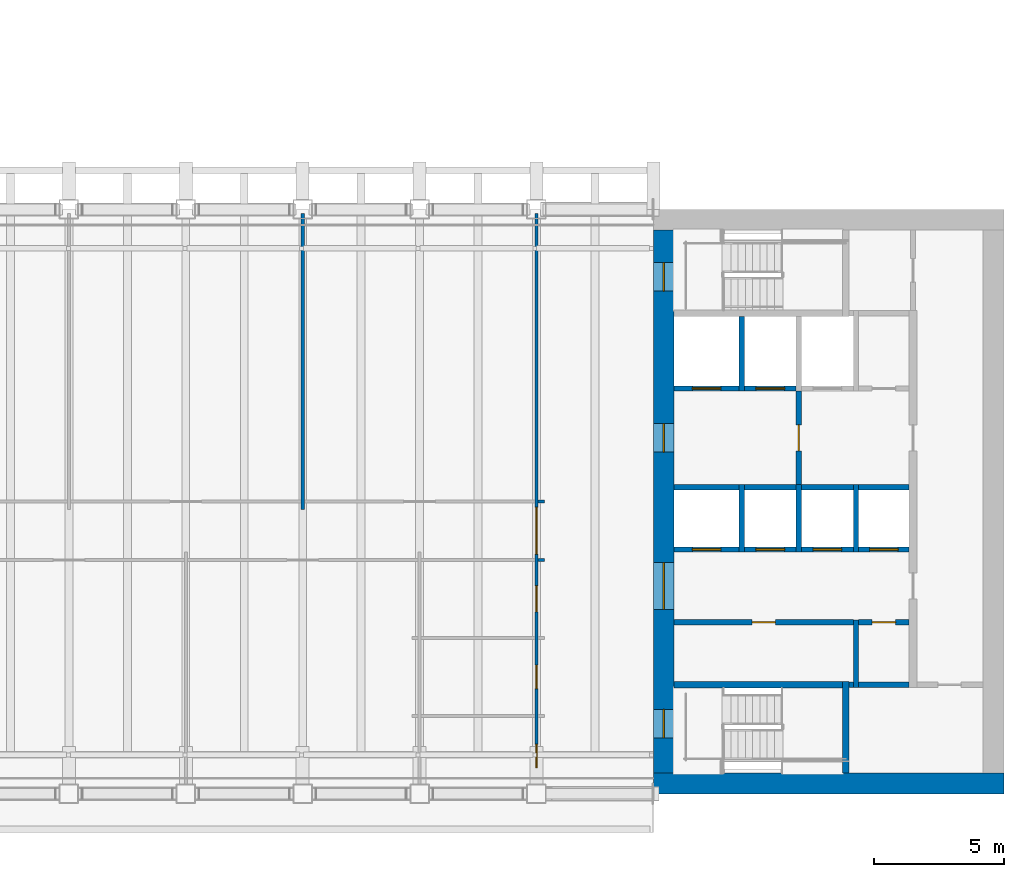
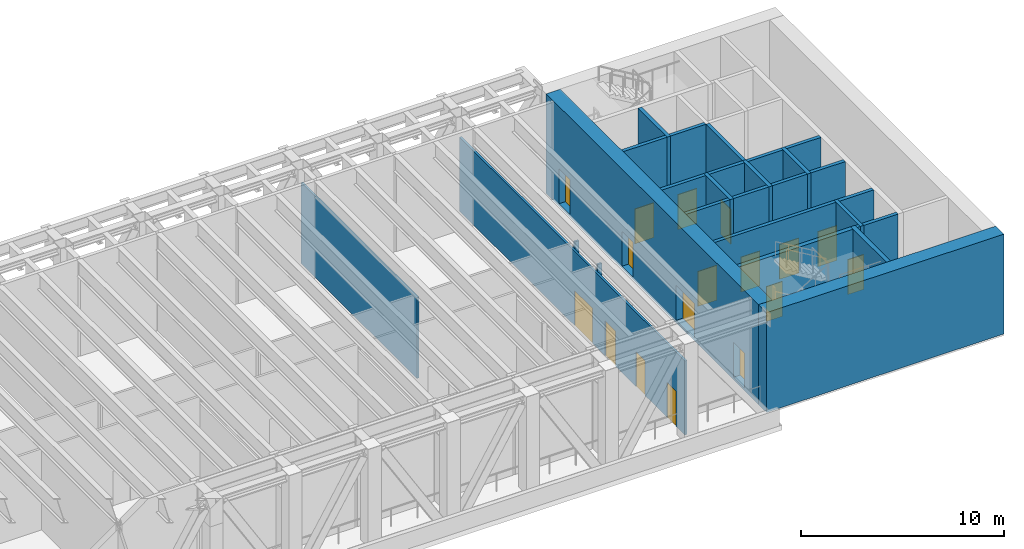
# One storey, part 10 of 20: 28 walls, 17 doors, 17 openings.
"""IFC4 building model written with IfcOpenShell, lengths in metres."""

from ifc_helpers import new_model, si_unit, direction, frame, frame_2d, origin, place, context, subcontext, project, spatial, rectangle, extrude, material, layer, layer_set, type_object, element, fill, save


model = new_model("IFC4")

# Units and contexts
model_context = context("Model", 3, precision=1e-05, world=origin(), true_north=direction((0.0, 1.0)))
body_context = subcontext(model_context, "Body", "Model", "MODEL_VIEW")
ifc_project = project(units=[si_unit("LENGTHUNIT", "METRE"), si_unit("AREAUNIT", "SQUARE_METRE"), si_unit("VOLUMEUNIT", "CUBIC_METRE"), si_unit("PLANEANGLEUNIT", "RADIAN"), si_unit("MASSUNIT", "GRAM", prefix="KILO")], contexts=[model_context])

# Site, building, storey
site_placement = place(None, origin())
site = spatial("IfcSite", under=ifc_project, at=site_placement, CompositionType="ELEMENT")
building_placement = place(site_placement, origin())
building = spatial("IfcBuilding", under=site, at=building_placement, Name="Sennacour Bend Tower", CompositionType="ELEMENT")
storey_placement = place(building_placement, frame((0.0, 0.0, 243.0)))
storey = spatial("IfcBuildingStorey", under=building, at=storey_placement, Name="L56", CompositionType="ELEMENT", Elevation=243.0)

# Wall
ifc_material_1 = material(Name="Concrete C50/60", Category="concrete")
ifc_layer_1 = layer(ifc_material_1, 0.800048828125, Name="Concrete C50/60", Category="concrete")
ifc_layer_set_1 = layer_set([ifc_layer_1], Name="Concrete C50/60")
wall_type_1 = type_object("IfcWallType", Name="Core wall 800 C50/60", PredefinedType="SHEAR", material=ifc_layer_set_1)
wall_1_placement = place(storey_placement, frame((67.5, 0.39990234375, -0.14990234375), z_axis=(0.0, 0.0, 1.0), x_axis=(-1.0, 0.0, 0.0)))
element("IfcWall", 1, at=wall_1_placement, inside=storey, type_object=wall_type_1, Name="Core A wall L56 S", PredefinedType="SHEAR", context=body_context, shape_type="SweptSolid", body=[
    extrude(rectangle(XDim=13.5, YDim=0.800048828125, at=frame_2d((6.75, 0.0))), origin(), (0.0, 0.0, 1.0), 6.0),
])

# Wall, openings, doors
wall_2_placement = place(storey_placement, frame((54.39990234375, 0.800048828125, -0.14990234375), z_axis=(0.0, 0.0, 1.0), x_axis=(0.0, 1.0, 0.0)))
wall_2 = element("IfcWall", 2, at=wall_2_placement, inside=storey, type_object=wall_type_1, Name="Core A wall L56 W", PredefinedType="SHEAR", context=body_context, shape_type="SweptSolid", body=[
    extrude(rectangle(XDim=20.89990234375, YDim=0.800048828125, at=frame_2d((10.449951171875, 0.0))), origin(), (0.0, 0.0, 1.0), 6.0),
])
opening_1_placement = place(wall_2_placement, frame((6.300048828125, 0.0, 0.14990234375)))
opening_1 = element("IfcOpeningElement", 3, at=opening_1_placement, cuts=wall_2, Name="Opening CD", PredefinedType="OPENING", context=body_context, shape_type="SweptSolid", body=[
    extrude(rectangle(XDim=1.800048828125, YDim=2.10009765625, at=frame_2d((0.89990234375, 1.050048828125))), frame((0.0, 0.41015625, 0.0), z_axis=(0.0, -1.0, 0.0), x_axis=(1.0, 0.0, 0.0)), (0.0, 0.0, 1.0), 0.820068359375),
])
opening_2_placement = place(wall_2_placement, frame((12.35009765625, 0.0, 0.14990234375)))
opening_2 = element("IfcOpeningElement", 4, at=opening_2_placement, cuts=wall_2, Name="Opening FD", PredefinedType="OPENING", context=body_context, shape_type="SweptSolid", body=[
    extrude(rectangle(XDim=1.10009765625, YDim=2.10009765625, at=frame_2d((0.550048828125, 1.050048828125))), frame((0.0, 0.41015625, 0.0), z_axis=(0.0, -1.0, 0.0), x_axis=(1.0, 0.0, 0.0)), (0.0, 0.0, 1.0), 0.820068359375),
])
opening_3_placement = place(wall_2_placement, frame((1.35009765625, 0.0, 0.14990234375)))
opening_3 = element("IfcOpeningElement", 5, at=opening_3_placement, cuts=wall_2, Name="Opening SD", PredefinedType="OPENING", context=body_context, shape_type="SweptSolid", body=[
    extrude(rectangle(XDim=1.10009765625, YDim=2.10009765625, at=frame_2d((0.550048828125, 1.050048828125))), frame((0.0, 0.41015625, 0.0), z_axis=(0.0, -1.0, 0.0), x_axis=(1.0, 0.0, 0.0)), (0.0, 0.0, 1.0), 0.820068359375),
])
opening_4_placement = place(wall_2_placement, frame((18.550048828125, 0.0, 0.14990234375)))
opening_4 = element("IfcOpeningElement", 6, at=opening_4_placement, cuts=wall_2, Name="Opening SD", PredefinedType="OPENING", context=body_context, shape_type="SweptSolid", body=[
    extrude(rectangle(XDim=1.10009765625, YDim=2.10009765625, at=frame_2d((0.550048828125, 1.050048828125))), frame((0.0, 0.41015625, 0.0), z_axis=(0.0, -1.0, 0.0), x_axis=(1.0, 0.0, 0.0)), (0.0, 0.0, 1.0), 0.820068359375),
])
ifc_material_2 = material(Name="Painted steel", Category="steel")
door_type_1 = type_object("IfcDoorType", Name="DR-FFL-1100", OperationType="NOTDEFINED", PredefinedType="DOOR", material=ifc_material_2)
door_1_placement = place(opening_2_placement, origin())
door_1 = element("IfcDoor", 7, at=door_1_placement, inside=storey, type_object=door_type_1, Name="Door", OperationType="SINGLE_SWING_RIGHT", OverallHeight=2.10009765625, OverallWidth=1.10009765625, PredefinedType="DOOR", context=body_context, shape_type="SweptSolid", body=[
    extrude(rectangle(XDim=1.10009765625, YDim=2.10009765625, at=frame_2d((0.550048828125, 1.050048828125))), frame((0.0, 0.02490234375, 0.0), z_axis=(0.0, -1.0, 0.0), x_axis=(1.0, 0.0, 0.0)), (0.0, 0.0, 1.0), 0.050048828125),
])
fill(opening_2, door_1)
door_type_2 = type_object("IfcDoorType", Name="DR-LOBBY-1800", OperationType="NOTDEFINED", PredefinedType="DOOR", material=ifc_material_2)
door_2_placement = place(opening_1_placement, origin())
door_2 = element("IfcDoor", 8, at=door_2_placement, inside=storey, type_object=door_type_2, Name="Door", OperationType="DOUBLE_DOOR_SINGLE_SWING", OverallHeight=2.10009765625, OverallWidth=1.800048828125, PredefinedType="DOOR", context=body_context, shape_type="SweptSolid", body=[
    extrude(rectangle(XDim=1.800048828125, YDim=2.10009765625, at=frame_2d((0.89990234375, 1.050048828125))), frame((0.0, 0.02490234375, 0.0), z_axis=(0.0, -1.0, 0.0), x_axis=(1.0, 0.0, 0.0)), (0.0, 0.0, 1.0), 0.050048828125),
])
fill(opening_1, door_2)
door_type_3 = type_object("IfcDoorType", Name="DR-STAIR-1100", OperationType="NOTDEFINED", PredefinedType="DOOR", material=ifc_material_2)
door_3_placement = place(opening_3_placement, origin())
door_3 = element("IfcDoor", 9, at=door_3_placement, inside=storey, type_object=door_type_3, Name="Door", OperationType="SINGLE_SWING_LEFT", OverallHeight=2.10009765625, OverallWidth=1.10009765625, PredefinedType="DOOR", context=body_context, shape_type="SweptSolid", body=[
    extrude(rectangle(XDim=1.10009765625, YDim=2.10009765625, at=frame_2d((0.550048828125, 1.050048828125))), frame((0.0, 0.02490234375, 0.0), z_axis=(0.0, -1.0, 0.0), x_axis=(1.0, 0.0, 0.0)), (0.0, 0.0, 1.0), 0.050048828125),
])
fill(opening_3, door_3)
door_4_placement = place(opening_4_placement, origin())
door_4 = element("IfcDoor", 10, at=door_4_placement, inside=storey, type_object=door_type_3, Name="Door", OperationType="SINGLE_SWING_RIGHT", OverallHeight=2.10009765625, OverallWidth=1.10009765625, PredefinedType="DOOR", context=body_context, shape_type="SweptSolid", body=[
    extrude(rectangle(XDim=1.10009765625, YDim=2.10009765625, at=frame_2d((0.550048828125, 1.050048828125))), frame((0.0, 0.02490234375, 0.0), z_axis=(0.0, -1.0, 0.0), x_axis=(1.0, 0.0, 0.0)), (0.0, 0.0, 1.0), 0.050048828125),
])
fill(opening_4, door_4)

# Walls
ifc_material_3 = material(Name="Plasterboard partition on steel studs", Category="steel")
ifc_layer_2 = layer(ifc_material_3, 0.1201171875, Name="Plasterboard partition on steel studs", Category="steel")
ifc_layer_set_2 = layer_set([ifc_layer_2], Name="Plasterboard partition on steel studs")
wall_type_2 = type_object("IfcWallType", Name="Partition 120", PredefinedType="PARTITIONING", material=ifc_layer_set_2)
wall_3_placement = place(storey_placement, frame((40.5, 10.949951171875, 0.0), z_axis=(0.0, 0.0, 1.0), x_axis=(0.0, 1.0, 0.0)))
element("IfcWall", 11, at=wall_3_placement, inside=storey, type_object=wall_type_2, Name="P-L56-W017a", PredefinedType="PARTITIONING", context=body_context, shape_type="SweptSolid", body=[
    extrude(rectangle(XDim=11.400146484375, YDim=0.1201171875, at=frame_2d((5.7001953125, 0.0))), origin(), (0.0, 0.0, 1.0), 4.8701171875),
])
for number, where, z_axis, x_axis, name in (
    (12, (49.56005859375, 9.0, 0.0), (0.0, 0.0, 1.0), (1.0, 0.0, 0.0), "P-L56-W041ag"),
    (13, (49.56005859375, 11.25, 0.0), (0.0, 0.0, 1.0), (1.0, 0.0, 0.0), "P-L56-W043ae"),
):
    element("IfcWall", number, at=place(storey_placement, frame(where, z_axis=z_axis, x_axis=x_axis)), inside=storey, type_object=wall_type_2, Name=name, PredefinedType="PARTITIONING", context=body_context, shape_type="SweptSolid", body=[
        extrude(rectangle(XDim=0.239990234375, YDim=0.1201171875, at=frame_2d((0.1201171875, 0.0))), origin(), (0.0, 0.0, 1.0), 4.8701171875),
    ])

# Wall, openings, doors
ifc_layer_3 = layer(ifc_material_3, 0.1201171875, Name="Plasterboard partition on steel studs", Category="steel")
ifc_layer_set_3 = layer_set([ifc_layer_3], Name="Plasterboard partition on steel studs")
wall_type_3 = type_object("IfcWallType", Name="Partition 120 EI 30", PredefinedType="PARTITIONING", material=ifc_layer_set_3)
wall_4_placement = place(storey_placement, frame((49.5, 0.14990234375, 0.0), z_axis=(0.0, 0.0, 1.0), x_axis=(0.0, 1.0, 0.0)))
wall_4 = element("IfcWall", 14, at=wall_4_placement, inside=storey, type_object=wall_type_3, Name="P-L56-W019a", PredefinedType="PARTITIONING", context=body_context, shape_type="SweptSolid", body=[
    extrude(rectangle(XDim=22.2001953125, YDim=0.1201171875, at=frame_2d((11.10009765625, 0.0))), origin(), (0.0, 0.0, 1.0), 4.449951171875),
])
opening_5_placement = place(wall_4_placement, frame((9.0751953125, 0.0, 0.0)))
opening_5 = element("IfcOpeningElement", 15, at=opening_5_placement, cuts=wall_4, Name="Opening KD3", PredefinedType="OPENING", context=body_context, shape_type="SweptSolid", body=[
    extrude(rectangle(XDim=1.800048828125, YDim=2.10009765625, at=frame_2d((0.89990234375, 1.050048828125))), frame((0.0, 0.070068359375, 0.0), z_axis=(0.0, -1.0, 0.0), x_axis=(1.0, 0.0, 0.0)), (0.0, 0.0, 1.0), 0.14013671875),
])
opening_6_placement = place(wall_4_placement, frame((0.85009765625, 0.0, 0.0)))
opening_6 = element("IfcOpeningElement", 16, at=opening_6_placement, cuts=wall_4, Name="Opening WD", PredefinedType="OPENING", context=body_context, shape_type="SweptSolid", body=[
    extrude(rectangle(XDim=0.89990234375, YDim=2.10009765625, at=frame_2d((0.449951171875, 1.050048828125))), frame((0.0, 0.070068359375, 0.0), z_axis=(0.0, -1.0, 0.0), x_axis=(1.0, 0.0, 0.0)), (0.0, 0.0, 1.0), 0.14013671875),
])
opening_7_placement = place(wall_4_placement, frame((3.900146484375, 0.0, 0.0)))
opening_7 = element("IfcOpeningElement", 17, at=opening_7_placement, cuts=wall_4, Name="Opening WD", PredefinedType="OPENING", context=body_context, shape_type="SweptSolid", body=[
    extrude(rectangle(XDim=0.89990234375, YDim=2.10009765625, at=frame_2d((0.449951171875, 1.050048828125))), frame((0.0, 0.070068359375, 0.0), z_axis=(0.0, -1.0, 0.0), x_axis=(1.0, 0.0, 0.0)), (0.0, 0.0, 1.0), 0.14013671875),
])
opening_8_placement = place(wall_4_placement, frame((6.85009765625, 0.0, 0.0)))
opening_8 = element("IfcOpeningElement", 18, at=opening_8_placement, cuts=wall_4, Name="Opening AD", PredefinedType="OPENING", context=body_context, shape_type="SweptSolid", body=[
    extrude(rectangle(XDim=1.0, YDim=2.10009765625, at=frame_2d((0.5, 1.050048828125))), frame((0.0, 0.070068359375, 0.0), z_axis=(0.0, -1.0, 0.0), x_axis=(1.0, 0.0, 0.0)), (0.0, 0.0, 1.0), 0.14013671875),
])
ifc_material_4 = material(Name="Timber", Category="wood")
door_type_4 = type_object("IfcDoorType", Name="DR-ACC-WC-1000", OperationType="NOTDEFINED", PredefinedType="DOOR", material=ifc_material_4)
door_5_placement = place(opening_8_placement, origin())
door_5 = element("IfcDoor", 19, at=door_5_placement, inside=storey, type_object=door_type_4, Name="Door", OperationType="SINGLE_SWING_LEFT", OverallHeight=2.10009765625, OverallWidth=1.0, PredefinedType="DOOR", context=body_context, shape_type="SweptSolid", body=[
    extrude(rectangle(XDim=1.0, YDim=2.10009765625, at=frame_2d((0.5, 1.050048828125))), frame((0.0, 0.02490234375, 0.0), z_axis=(0.0, -1.0, 0.0), x_axis=(1.0, 0.0, 0.0)), (0.0, 0.0, 1.0), 0.050048828125),
])
fill(opening_8, door_5)
door_type_5 = type_object("IfcDoorType", Name="DR-CORRIDOR-1800", OperationType="NOTDEFINED", PredefinedType="DOOR", material=ifc_material_2)
door_6_placement = place(opening_5_placement, origin())
door_6 = element("IfcDoor", 20, at=door_6_placement, inside=storey, type_object=door_type_5, Name="Door", OperationType="DOUBLE_DOOR_SINGLE_SWING", OverallHeight=2.10009765625, OverallWidth=1.800048828125, PredefinedType="DOOR", context=body_context, shape_type="SweptSolid", body=[
    extrude(rectangle(XDim=1.800048828125, YDim=2.10009765625, at=frame_2d((0.89990234375, 1.050048828125))), frame((0.0, 0.02490234375, 0.0), z_axis=(0.0, -1.0, 0.0), x_axis=(1.0, 0.0, 0.0)), (0.0, 0.0, 1.0), 0.050048828125),
])
fill(opening_5, door_6)
door_type_6 = type_object("IfcDoorType", Name="DR-WC-900", OperationType="NOTDEFINED", PredefinedType="DOOR", material=ifc_material_4)
door_7_placement = place(opening_6_placement, origin())
door_7 = element("IfcDoor", 21, at=door_7_placement, inside=storey, type_object=door_type_6, Name="Door", OperationType="SINGLE_SWING_LEFT", OverallHeight=2.10009765625, OverallWidth=0.89990234375, PredefinedType="DOOR", context=body_context, shape_type="SweptSolid", body=[
    extrude(rectangle(XDim=0.89990234375, YDim=2.10009765625, at=frame_2d((0.449951171875, 1.050048828125))), frame((0.0, 0.02490234375, 0.0), z_axis=(0.0, -1.0, 0.0), x_axis=(1.0, 0.0, 0.0)), (0.0, 0.0, 1.0), 0.050048828125),
])
fill(opening_6, door_7)
door_8_placement = place(opening_7_placement, origin())
door_8 = element("IfcDoor", 22, at=door_8_placement, inside=storey, type_object=door_type_6, Name="Door", OperationType="SINGLE_SWING_LEFT", OverallHeight=2.10009765625, OverallWidth=0.89990234375, PredefinedType="DOOR", context=body_context, shape_type="SweptSolid", body=[
    extrude(rectangle(XDim=0.89990234375, YDim=2.10009765625, at=frame_2d((0.449951171875, 1.050048828125))), frame((0.0, 0.02490234375, 0.0), z_axis=(0.0, -1.0, 0.0), x_axis=(1.0, 0.0, 0.0)), (0.0, 0.0, 1.0), 0.050048828125),
])
fill(opening_7, door_8)

# Walls
ifc_material_5 = material(Name="Fire-rated plasterboard partition on steel studs", Category="steel")
ifc_layer_4 = layer(ifc_material_5, 0.199951171875, Name="Fire-rated plasterboard partition on steel studs", Category="steel")
ifc_layer_set_4 = layer_set([ifc_layer_4], Name="Fire-rated plasterboard partition on steel studs")
wall_type_4 = type_object("IfcWallType", Name="Rated partition 200", PredefinedType="PARTITIONING", material=ifc_layer_set_4)
wall_5_placement = place(storey_placement, frame((61.800048828125, 4.10009765625, 0.0), z_axis=(0.0, 0.0, 1.0), x_axis=(0.0, 1.0, 0.0)))
element("IfcWall", 23, at=wall_5_placement, inside=storey, type_object=wall_type_4, Name="P-L56-W027", PredefinedType="PARTITIONING", context=body_context, shape_type="SweptSolid", body=[
    extrude(rectangle(XDim=2.599853515625, YDim=0.199951171875, at=frame_2d((1.2998046875, 0.0))), origin(), (0.0, 0.0, 1.0), 5.85009765625),
])
wall_6_placement = place(storey_placement, frame((61.52490234375, 4.199951171875, 0.0), z_axis=(0.0, 0.0, 1.0), x_axis=(1.0, 0.0, 0.0)))
element("IfcWall", 24, at=wall_6_placement, inside=storey, type_object=wall_type_4, Name="P-L56-W038a", PredefinedType="PARTITIONING", context=body_context, shape_type="SweptSolid", body=[
    extrude(rectangle(XDim=0.175048828125, YDim=0.199951171875, at=frame_2d((0.08740234375, 0.0))), origin(), (0.0, 0.0, 1.0), 5.85009765625),
])
wall_7_placement = place(storey_placement, frame((61.89990234375, 4.199951171875, 0.0), z_axis=(0.0, 0.0, 1.0), x_axis=(1.0, 0.0, 0.0)))
element("IfcWall", 25, at=wall_7_placement, inside=storey, type_object=wall_type_4, Name="P-L56-W038b", PredefinedType="PARTITIONING", context=body_context, shape_type="SweptSolid", body=[
    extrude(rectangle(XDim=1.9501953125, YDim=0.199951171875, at=frame_2d((0.97509765625, 0.0))), origin(), (0.0, 0.0, 1.0), 5.85009765625),
])

# Wall, opening, door
wall_8_placement = place(storey_placement, frame((54.800048828125, 6.60009765625, 0.0), z_axis=(0.0, 0.0, 1.0), x_axis=(1.0, 0.0, 0.0)))
wall_8 = element("IfcWall", 26, at=wall_8_placement, inside=storey, type_object=wall_type_4, Name="P-L56-W040a", PredefinedType="PARTITIONING", context=body_context, shape_type="SweptSolid", body=[
    extrude(rectangle(XDim=6.89990234375, YDim=0.199951171875, at=frame_2d((3.449951171875, 0.0))), origin(), (0.0, 0.0, 1.0), 5.85009765625),
])
opening_9_placement = place(wall_8_placement, frame((3.0, 0.0, 0.0)))
opening_9 = element("IfcOpeningElement", 27, at=opening_9_placement, cuts=wall_8, Name="Opening SV", PredefinedType="OPENING", context=body_context, shape_type="SweptSolid", body=[
    extrude(rectangle(XDim=0.89990234375, YDim=2.10009765625, at=frame_2d((0.449951171875, 1.050048828125))), frame((0.0, 0.10986328125, 0.0), z_axis=(0.0, -1.0, 0.0), x_axis=(1.0, 0.0, 0.0)), (0.0, 0.0, 1.0), 0.219970703125),
])
door_type_7 = type_object("IfcDoorType", Name="DR-SERVICE-900", OperationType="NOTDEFINED", PredefinedType="DOOR", material=ifc_material_2)
door_9_placement = place(opening_9_placement, origin())
door_9 = element("IfcDoor", 28, at=door_9_placement, inside=storey, type_object=door_type_7, Name="Door", OperationType="SINGLE_SWING_LEFT", OverallHeight=2.10009765625, OverallWidth=0.89990234375, PredefinedType="DOOR", context=body_context, shape_type="SweptSolid", body=[
    extrude(rectangle(XDim=0.89990234375, YDim=2.10009765625, at=frame_2d((0.449951171875, 1.050048828125))), frame((0.0, 0.02490234375, 0.0), z_axis=(0.0, -1.0, 0.0), x_axis=(1.0, 0.0, 0.0)), (0.0, 0.0, 1.0), 0.050048828125),
])
fill(opening_9, door_9)

wall_9_placement = place(storey_placement, frame((61.89990234375, 6.60009765625, 0.0), z_axis=(0.0, 0.0, 1.0), x_axis=(1.0, 0.0, 0.0)))
wall_9 = element("IfcWall", 29, at=wall_9_placement, inside=storey, type_object=wall_type_4, Name="P-L56-W040b", PredefinedType="PARTITIONING", context=body_context, shape_type="SweptSolid", body=[
    extrude(rectangle(XDim=1.9501953125, YDim=0.199951171875, at=frame_2d((0.97509765625, 0.0))), origin(), (0.0, 0.0, 1.0), 5.85009765625),
])
opening_10_placement = place(wall_9_placement, frame((0.525146484375, 0.0, 0.0)))
opening_10 = element("IfcOpeningElement", 30, at=opening_10_placement, cuts=wall_9, Name="Opening SV", PredefinedType="OPENING", context=body_context, shape_type="SweptSolid", body=[
    extrude(rectangle(XDim=0.89990234375, YDim=2.10009765625, at=frame_2d((0.449951171875, 1.050048828125))), frame((0.0, 0.10986328125, 0.0), z_axis=(0.0, -1.0, 0.0), x_axis=(1.0, 0.0, 0.0)), (0.0, 0.0, 1.0), 0.219970703125),
])
door_10_placement = place(opening_10_placement, origin())
door_10 = element("IfcDoor", 31, at=door_10_placement, inside=storey, type_object=door_type_7, Name="Door", OperationType="SINGLE_SWING_RIGHT", OverallHeight=2.10009765625, OverallWidth=0.89990234375, PredefinedType="DOOR", context=body_context, shape_type="SweptSolid", body=[
    extrude(rectangle(XDim=0.89990234375, YDim=2.10009765625, at=frame_2d((0.449951171875, 1.050048828125))), frame((0.0, 0.02490234375, 0.0), z_axis=(0.0, -1.0, 0.0), x_axis=(1.0, 0.0, 0.0)), (0.0, 0.0, 1.0), 0.050048828125),
])
fill(opening_10, door_10)

ifc_layer_5 = layer(ifc_material_5, 0.199951171875, Name="Fire-rated plasterboard partition on steel studs", Category="steel")
ifc_layer_set_5 = layer_set([ifc_layer_5], Name="Fire-rated plasterboard partition on steel studs")
wall_type_5 = type_object("IfcWallType", Name="Rated partition 200 EI 90", PredefinedType="PARTITIONING", material=ifc_layer_set_5)
wall_10_placement = place(storey_placement, frame((59.60009765625, 11.89990234375, 0.0), z_axis=(0.0, 0.0, 1.0), x_axis=(0.0, 1.0, 0.0)))
wall_10 = element("IfcWall", 32, at=wall_10_placement, inside=storey, type_object=wall_type_5, Name="P-L56-W023", PredefinedType="PARTITIONING", context=body_context, shape_type="SweptSolid", body=[
    extrude(rectangle(XDim=3.60009765625, YDim=0.199951171875, at=frame_2d((1.800048828125, 0.0))), origin(), (0.0, 0.0, 1.0), 5.85009765625),
])
opening_11_placement = place(wall_10_placement, frame((1.300048828125, 0.0, 0.0)))
opening_11 = element("IfcOpeningElement", 33, at=opening_11_placement, cuts=wall_10, Name="Opening FD2", PredefinedType="OPENING", context=body_context, shape_type="SweptSolid", body=[
    extrude(rectangle(XDim=1.0, YDim=2.10009765625, at=frame_2d((0.5, 1.050048828125))), frame((0.0, 0.10986328125, 0.0), z_axis=(0.0, -1.0, 0.0), x_axis=(1.0, 0.0, 0.0)), (0.0, 0.0, 1.0), 0.219970703125),
])
door_type_8 = type_object("IfcDoorType", Name="DR-FFL-1000", OperationType="NOTDEFINED", PredefinedType="DOOR", material=ifc_material_2)
door_11_placement = place(opening_11_placement, origin())
door_11 = element("IfcDoor", 34, at=door_11_placement, inside=storey, type_object=door_type_8, Name="Door", OperationType="SINGLE_SWING_LEFT", OverallHeight=2.10009765625, OverallWidth=1.0, PredefinedType="DOOR", context=body_context, shape_type="SweptSolid", body=[
    extrude(rectangle(XDim=1.0, YDim=2.10009765625, at=frame_2d((0.5, 1.050048828125))), frame((0.0, 0.02490234375, 0.0), z_axis=(0.0, -1.0, 0.0), x_axis=(1.0, 0.0, 0.0)), (0.0, 0.0, 1.0), 0.050048828125),
])
fill(opening_11, door_11)

# Walls
ifc_layer_6 = layer(ifc_material_1, 0.199951171875, Name="Concrete C50/60", Category="concrete")
ifc_layer_set_6 = layer_set([ifc_layer_6], Name="Concrete C50/60")
wall_type_6 = type_object("IfcWallType", Name="Shaft wall 200", PredefinedType="SOLIDWALL", material=ifc_layer_set_6)
wall_11_placement = place(storey_placement, frame((57.39990234375, 9.300048828125, 0.0), z_axis=(0.0, 0.0, 1.0), x_axis=(0.0, 1.0, 0.0)))
element("IfcWall", 35, at=wall_11_placement, inside=storey, type_object=wall_type_6, Name="P-L56-W020", PredefinedType="SOLIDWALL", context=body_context, shape_type="SweptSolid", body=[
    extrude(rectangle(XDim=2.599853515625, YDim=0.199951171875, at=frame_2d((1.2998046875, 0.0))), origin(), (0.0, 0.0, 1.0), 5.85009765625),
])
wall_12_placement = place(storey_placement, frame((57.39990234375, 15.5, 0.0), z_axis=(0.0, 0.0, 1.0), x_axis=(0.0, 1.0, 0.0)))
element("IfcWall", 36, at=wall_12_placement, inside=storey, type_object=wall_type_6, Name="P-L56-W021", PredefinedType="SOLIDWALL", context=body_context, shape_type="SweptSolid", body=[
    extrude(rectangle(XDim=2.875, YDim=0.199951171875, at=frame_2d((1.4375, 0.0))), origin(), (0.0, 0.0, 1.0), 5.85009765625),
])
for number, where, z_axis, x_axis, name in (
    (37, (59.60009765625, 9.300048828125, 0.0), (0.0, 0.0, 1.0), (0.0, 1.0, 0.0), "P-L56-W022"),
    (38, (61.800048828125, 9.300048828125, 0.0), (0.0, 0.0, 1.0), (0.0, 1.0, 0.0), "P-L56-W028"),
):
    element("IfcWall", number, at=place(storey_placement, frame(where, z_axis=z_axis, x_axis=x_axis)), inside=storey, type_object=wall_type_6, Name=name, PredefinedType="SOLIDWALL", context=body_context, shape_type="SweptSolid", body=[
        extrude(rectangle(XDim=2.599853515625, YDim=0.199951171875, at=frame_2d((1.2998046875, 0.0))), origin(), (0.0, 0.0, 1.0), 5.85009765625),
    ])

# Wall, opening, door
wall_13_placement = place(storey_placement, frame((54.800048828125, 9.39990234375, 0.0), z_axis=(0.0, 0.0, 1.0), x_axis=(1.0, 0.0, 0.0)))
wall_13 = element("IfcWall", 39, at=wall_13_placement, inside=storey, type_object=wall_type_6, Name="P-L56-W042a", PredefinedType="SOLIDWALL", context=body_context, shape_type="SweptSolid", body=[
    extrude(rectangle(XDim=2.5, YDim=0.199951171875, at=frame_2d((1.25, 0.0))), origin(), (0.0, 0.0, 1.0), 5.85009765625),
])
opening_12_placement = place(wall_13_placement, frame((0.699951171875, 0.0, 0.011962890625)))
opening_12 = element("IfcOpeningElement", 40, at=opening_12_placement, cuts=wall_13, Name="Opening LD", PredefinedType="OPENING", context=body_context, shape_type="SweptSolid", body=[
    extrude(rectangle(XDim=1.10009765625, YDim=2.10009765625, at=frame_2d((0.550048828125, 1.050048828125))), frame((0.0, 0.10986328125, 0.0), z_axis=(0.0, -1.0, 0.0), x_axis=(1.0, 0.0, 0.0)), (0.0, 0.0, 1.0), 0.219970703125),
])
ifc_material_6 = material(Name="Stainless steel", Category="steel")
door_type_9 = type_object("IfcDoorType", Name="DR-LANDING-1100", OperationType="NOTDEFINED", PredefinedType="DOOR", material=ifc_material_6)
door_12_placement = place(opening_12_placement, origin())
door_12 = element("IfcDoor", 41, at=door_12_placement, inside=storey, type_object=door_type_9, Name="Lift landing door HA1", OperationType="SLIDING_TO_LEFT", OverallHeight=2.10009765625, OverallWidth=1.10009765625, PredefinedType="DOOR", context=body_context, shape_type="SweptSolid", body=[
    extrude(rectangle(XDim=1.10009765625, YDim=2.10009765625, at=frame_2d((0.550048828125, 1.050048828125))), frame((0.0, 0.02490234375, 0.0), z_axis=(0.0, -1.0, 0.0), x_axis=(1.0, 0.0, 0.0)), (0.0, 0.0, 1.0), 0.050048828125),
])
fill(opening_12, door_12)

wall_14_placement = place(storey_placement, frame((57.5, 9.39990234375, 0.0), z_axis=(0.0, 0.0, 1.0), x_axis=(1.0, 0.0, 0.0)))
wall_14 = element("IfcWall", 42, at=wall_14_placement, inside=storey, type_object=wall_type_6, Name="P-L56-W042b", PredefinedType="SOLIDWALL", context=body_context, shape_type="SweptSolid", body=[
    extrude(rectangle(XDim=2.0, YDim=0.199951171875, at=frame_2d((1.0, 0.0))), origin(), (0.0, 0.0, 1.0), 5.85009765625),
])
opening_13_placement = place(wall_14_placement, frame((0.449951171875, 0.0, 0.011962890625)))
opening_13 = element("IfcOpeningElement", 43, at=opening_13_placement, cuts=wall_14, Name="Opening LD", PredefinedType="OPENING", context=body_context, shape_type="SweptSolid", body=[
    extrude(rectangle(XDim=1.10009765625, YDim=2.10009765625, at=frame_2d((0.550048828125, 1.050048828125))), frame((0.0, 0.10986328125, 0.0), z_axis=(0.0, -1.0, 0.0), x_axis=(1.0, 0.0, 0.0)), (0.0, 0.0, 1.0), 0.219970703125),
])
door_13_placement = place(opening_13_placement, origin())
door_13 = element("IfcDoor", 44, at=door_13_placement, inside=storey, type_object=door_type_9, Name="Lift landing door HA2", OperationType="SLIDING_TO_RIGHT", OverallHeight=2.10009765625, OverallWidth=1.10009765625, PredefinedType="DOOR", context=body_context, shape_type="SweptSolid", body=[
    extrude(rectangle(XDim=1.10009765625, YDim=2.10009765625, at=frame_2d((0.550048828125, 1.050048828125))), frame((0.0, 0.02490234375, 0.0), z_axis=(0.0, -1.0, 0.0), x_axis=(1.0, 0.0, 0.0)), (0.0, 0.0, 1.0), 0.050048828125),
])
fill(opening_13, door_13)

wall_15_placement = place(storey_placement, frame((59.699951171875, 9.39990234375, 0.0), z_axis=(0.0, 0.0, 1.0), x_axis=(1.0, 0.0, 0.0)))
wall_15 = element("IfcWall", 45, at=wall_15_placement, inside=storey, type_object=wall_type_6, Name="P-L56-W042c", PredefinedType="SOLIDWALL", context=body_context, shape_type="SweptSolid", body=[
    extrude(rectangle(XDim=2.0, YDim=0.199951171875, at=frame_2d((1.0, 0.0))), origin(), (0.0, 0.0, 1.0), 5.85009765625),
])
opening_14_placement = place(wall_15_placement, frame((0.449951171875, 0.0, 0.011962890625)))
opening_14 = element("IfcOpeningElement", 46, at=opening_14_placement, cuts=wall_15, Name="Opening LD", PredefinedType="OPENING", context=body_context, shape_type="SweptSolid", body=[
    extrude(rectangle(XDim=1.10009765625, YDim=2.10009765625, at=frame_2d((0.550048828125, 1.050048828125))), frame((0.0, 0.10986328125, 0.0), z_axis=(0.0, -1.0, 0.0), x_axis=(1.0, 0.0, 0.0)), (0.0, 0.0, 1.0), 0.219970703125),
])
door_14_placement = place(opening_14_placement, origin())
door_14 = element("IfcDoor", 47, at=door_14_placement, inside=storey, type_object=door_type_9, Name="Lift landing door HA3", OperationType="SLIDING_TO_LEFT", OverallHeight=2.10009765625, OverallWidth=1.10009765625, PredefinedType="DOOR", context=body_context, shape_type="SweptSolid", body=[
    extrude(rectangle(XDim=1.10009765625, YDim=2.10009765625, at=frame_2d((0.550048828125, 1.050048828125))), frame((0.0, 0.02490234375, 0.0), z_axis=(0.0, -1.0, 0.0), x_axis=(1.0, 0.0, 0.0)), (0.0, 0.0, 1.0), 0.050048828125),
])
fill(opening_14, door_14)

wall_16_placement = place(storey_placement, frame((61.89990234375, 9.39990234375, 0.0), z_axis=(0.0, 0.0, 1.0), x_axis=(1.0, 0.0, 0.0)))
wall_16 = element("IfcWall", 48, at=wall_16_placement, inside=storey, type_object=wall_type_6, Name="P-L56-W042d", PredefinedType="SOLIDWALL", context=body_context, shape_type="SweptSolid", body=[
    extrude(rectangle(XDim=1.9501953125, YDim=0.199951171875, at=frame_2d((0.97509765625, 0.0))), origin(), (0.0, 0.0, 1.0), 5.85009765625),
])
opening_15_placement = place(wall_16_placement, frame((0.425048828125, 0.0, 0.011962890625)))
opening_15 = element("IfcOpeningElement", 49, at=opening_15_placement, cuts=wall_16, Name="Opening LD", PredefinedType="OPENING", context=body_context, shape_type="SweptSolid", body=[
    extrude(rectangle(XDim=1.10009765625, YDim=2.10009765625, at=frame_2d((0.550048828125, 1.050048828125))), frame((0.0, 0.10986328125, 0.0), z_axis=(0.0, -1.0, 0.0), x_axis=(1.0, 0.0, 0.0)), (0.0, 0.0, 1.0), 0.219970703125),
])
door_15_placement = place(opening_15_placement, origin())
door_15 = element("IfcDoor", 50, at=door_15_placement, inside=storey, type_object=door_type_9, Name="Lift landing door HA4", OperationType="SLIDING_TO_RIGHT", OverallHeight=2.10009765625, OverallWidth=1.10009765625, PredefinedType="DOOR", context=body_context, shape_type="SweptSolid", body=[
    extrude(rectangle(XDim=1.10009765625, YDim=2.10009765625, at=frame_2d((0.550048828125, 1.050048828125))), frame((0.0, 0.02490234375, 0.0), z_axis=(0.0, -1.0, 0.0), x_axis=(1.0, 0.0, 0.0)), (0.0, 0.0, 1.0), 0.050048828125),
])
fill(opening_15, door_15)

# Walls
wall_17_placement = place(storey_placement, frame((54.800048828125, 11.800048828125, 0.0), z_axis=(0.0, 0.0, 1.0), x_axis=(1.0, 0.0, 0.0)))
element("IfcWall", 51, at=wall_17_placement, inside=storey, type_object=wall_type_6, Name="P-L56-W044a", PredefinedType="SOLIDWALL", context=body_context, shape_type="SweptSolid", body=[
    extrude(rectangle(XDim=2.5, YDim=0.199951171875, at=frame_2d((1.25, 0.0))), origin(), (0.0, 0.0, 1.0), 5.85009765625),
])
for number, where, z_axis, x_axis, name in (
    (52, (57.5, 11.800048828125, 0.0), (0.0, 0.0, 1.0), (1.0, 0.0, 0.0), "P-L56-W044b"),
    (53, (59.699951171875, 11.800048828125, 0.0), (0.0, 0.0, 1.0), (1.0, 0.0, 0.0), "P-L56-W044c"),
):
    element("IfcWall", number, at=place(storey_placement, frame(where, z_axis=z_axis, x_axis=x_axis)), inside=storey, type_object=wall_type_6, Name=name, PredefinedType="SOLIDWALL", context=body_context, shape_type="SweptSolid", body=[
        extrude(rectangle(XDim=2.0, YDim=0.199951171875, at=frame_2d((1.0, 0.0))), origin(), (0.0, 0.0, 1.0), 5.85009765625),
    ])
wall_18_placement = place(storey_placement, frame((61.89990234375, 11.800048828125, 0.0), z_axis=(0.0, 0.0, 1.0), x_axis=(1.0, 0.0, 0.0)))
element("IfcWall", 54, at=wall_18_placement, inside=storey, type_object=wall_type_6, Name="P-L56-W044d", PredefinedType="SOLIDWALL", context=body_context, shape_type="SweptSolid", body=[
    extrude(rectangle(XDim=1.9501953125, YDim=0.199951171875, at=frame_2d((0.97509765625, 0.0))), origin(), (0.0, 0.0, 1.0), 5.85009765625),
])

# Wall, opening, door
wall_19_placement = place(storey_placement, frame((54.800048828125, 15.60009765625, 0.0), z_axis=(0.0, 0.0, 1.0), x_axis=(1.0, 0.0, 0.0)))
wall_19 = element("IfcWall", 55, at=wall_19_placement, inside=storey, type_object=wall_type_6, Name="P-L56-W045a", PredefinedType="SOLIDWALL", context=body_context, shape_type="SweptSolid", body=[
    extrude(rectangle(XDim=2.5, YDim=0.199951171875, at=frame_2d((1.25, 0.0))), origin(), (0.0, 0.0, 1.0), 5.85009765625),
])
opening_16_placement = place(wall_19_placement, frame((0.699951171875, 0.0, 0.011962890625)))
opening_16 = element("IfcOpeningElement", 56, at=opening_16_placement, cuts=wall_19, Name="Opening FLD", PredefinedType="OPENING", context=body_context, shape_type="SweptSolid", body=[
    extrude(rectangle(XDim=1.10009765625, YDim=2.10009765625, at=frame_2d((0.550048828125, 1.050048828125))), frame((0.0, 0.10986328125, 0.0), z_axis=(0.0, -1.0, 0.0), x_axis=(1.0, 0.0, 0.0)), (0.0, 0.0, 1.0), 0.219970703125),
])
door_type_10 = type_object("IfcDoorType", Name="DR-FF-LANDING-1100", OperationType="NOTDEFINED", PredefinedType="DOOR", material=ifc_material_6)
door_16_placement = place(opening_16_placement, origin())
door_16 = element("IfcDoor", 57, at=door_16_placement, inside=storey, type_object=door_type_10, Name="Fire service lift landing door FA1", OperationType="SLIDING_TO_LEFT", OverallHeight=2.10009765625, OverallWidth=1.10009765625, PredefinedType="DOOR", context=body_context, shape_type="SweptSolid", body=[
    extrude(rectangle(XDim=1.10009765625, YDim=2.10009765625, at=frame_2d((0.550048828125, 1.050048828125))), frame((0.0, 0.02490234375, 0.0), z_axis=(0.0, -1.0, 0.0), x_axis=(1.0, 0.0, 0.0)), (0.0, 0.0, 1.0), 0.050048828125),
])
fill(opening_16, door_16)

wall_20_placement = place(storey_placement, frame((57.5, 15.60009765625, 0.0), z_axis=(0.0, 0.0, 1.0), x_axis=(1.0, 0.0, 0.0)))
wall_20 = element("IfcWall", 58, at=wall_20_placement, inside=storey, type_object=wall_type_6, Name="P-L56-W045b", PredefinedType="SOLIDWALL", context=body_context, shape_type="SweptSolid", body=[
    extrude(rectangle(XDim=2.0, YDim=0.199951171875, at=frame_2d((1.0, 0.0))), origin(), (0.0, 0.0, 1.0), 5.85009765625),
])
opening_17_placement = place(wall_20_placement, frame((0.449951171875, 0.0, 0.011962890625)))
opening_17 = element("IfcOpeningElement", 59, at=opening_17_placement, cuts=wall_20, Name="Opening FLD", PredefinedType="OPENING", context=body_context, shape_type="SweptSolid", body=[
    extrude(rectangle(XDim=1.10009765625, YDim=2.10009765625, at=frame_2d((0.550048828125, 1.050048828125))), frame((0.0, 0.10986328125, 0.0), z_axis=(0.0, -1.0, 0.0), x_axis=(1.0, 0.0, 0.0)), (0.0, 0.0, 1.0), 0.219970703125),
])
door_17_placement = place(opening_17_placement, origin())
door_17 = element("IfcDoor", 60, at=door_17_placement, inside=storey, type_object=door_type_10, Name="Fire service lift landing door FA2", OperationType="SLIDING_TO_RIGHT", OverallHeight=2.10009765625, OverallWidth=1.10009765625, PredefinedType="DOOR", context=body_context, shape_type="SweptSolid", body=[
    extrude(rectangle(XDim=1.10009765625, YDim=2.10009765625, at=frame_2d((0.550048828125, 1.050048828125))), frame((0.0, 0.02490234375, 0.0), z_axis=(0.0, -1.0, 0.0), x_axis=(1.0, 0.0, 0.0)), (0.0, 0.0, 1.0), 0.050048828125),
])
fill(opening_17, door_17)

# Walls
ifc_material_7 = material(Name="Concrete C60/75", Category="concrete")
ifc_layer_7 = layer(ifc_material_7, 0.25, Name="Concrete C60/75", Category="concrete")
ifc_layer_set_7 = layer_set([ifc_layer_7], Name="Concrete C60/75")
wall_type_7 = type_object("IfcWallType", Name="Stair wall 250", PredefinedType="SHEAR", material=ifc_layer_set_7)
wall_21_placement = place(storey_placement, frame((61.39990234375, 0.800048828125, 0.0), z_axis=(0.0, 0.0, 1.0), x_axis=(0.0, 1.0, 0.0)))
element("IfcWall", 61, at=wall_21_placement, inside=storey, type_object=wall_type_7, Name="P-L56-W025", PredefinedType="SHEAR", context=body_context, shape_type="SweptSolid", body=[
    extrude(rectangle(XDim=3.52490234375, YDim=0.25, at=frame_2d((1.762451171875, 0.0))), origin(), (0.0, 0.0, 1.0), 5.85009765625),
])
wall_22_placement = place(storey_placement, frame((54.800048828125, 4.199951171875, 0.0), z_axis=(0.0, 0.0, 1.0), x_axis=(1.0, 0.0, 0.0)))
element("IfcWall", 62, at=wall_22_placement, inside=storey, type_object=wall_type_7, Name="P-L56-W037", PredefinedType="SHEAR", context=body_context, shape_type="SweptSolid", body=[
    extrude(rectangle(XDim=6.474853515625, YDim=0.25, at=frame_2d((3.2373046875, 0.0))), origin(), (0.0, 0.0, 1.0), 5.85009765625),
])

save(model, "model.ifc")
